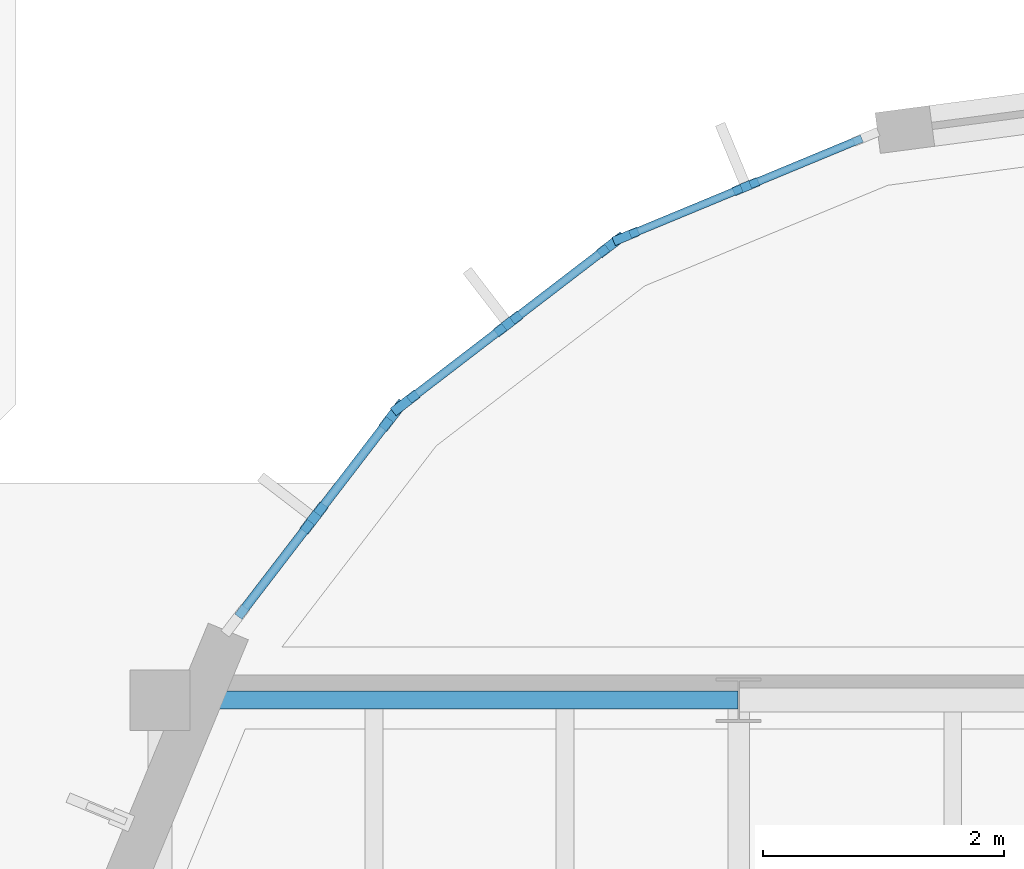
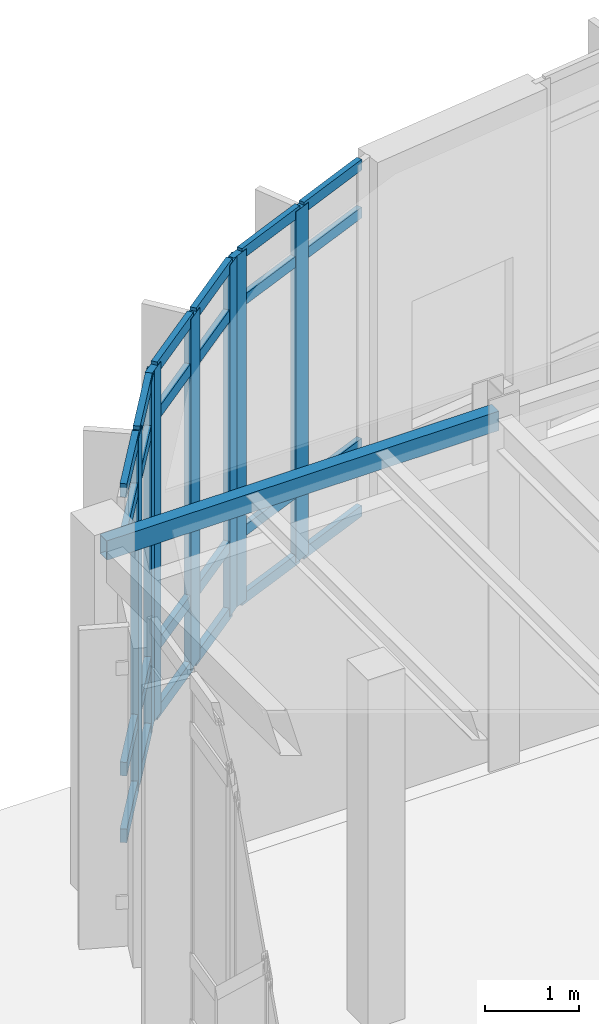
# One storey, part 54 of 120: 31 members, 1 beam, 3 elements without a shape of their own.
"""IFC4 building model written with IfcOpenShell, lengths in metres."""

from ifc_helpers import new_model, si_unit, direction, frame, origin, origin_2d, place, context, subcontext, project, spatial, rectangle, hollow_rectangle, extrude, material, material_profile, profile_set, type_object, element, aggregate, save


model = new_model("IFC4")

# Units and contexts
model_context = context("Model", 3, precision=1e-05, world=origin(), true_north=direction((0.0, 1.0)))
body_context = subcontext(model_context, "Body", "Model", "MODEL_VIEW")
ifc_project = project(units=[si_unit("LENGTHUNIT", "METRE"), si_unit("AREAUNIT", "SQUARE_METRE"), si_unit("VOLUMEUNIT", "CUBIC_METRE"), si_unit("PLANEANGLEUNIT", "RADIAN"), si_unit("MASSUNIT", "GRAM", prefix="KILO")], contexts=[model_context])

# Site, building, storey
site_placement = place(None, origin())
site = spatial("IfcSite", under=ifc_project, at=site_placement, CompositionType="ELEMENT")
building_placement = place(site_placement, origin())
building = spatial("IfcBuilding", under=site, at=building_placement, Name="Corveleigh Park Community Centre", CompositionType="ELEMENT")
storey_placement = place(building_placement, origin())
storey = spatial("IfcBuildingStorey", under=building, at=storey_placement, Name="L00", CompositionType="ELEMENT", Elevation=0.0)

# Curtain wall, members
ifc_material_1 = material(Name="Anodised aluminium 6063-T6", Category="aluminium")
curtain_wall_type = type_object("IfcCurtainWallType", Name="CW-SYS-V4-L00", PredefinedType="NOTDEFINED", material=ifc_material_1)
curtain_wall_1_placement = place(storey_placement, origin())
curtain_wall_1 = element("IfcCurtainWall", 1, at=curtain_wall_1_placement, inside=storey, type_object=curtain_wall_type, Name="V4 L00 Curtain Wall 142", PredefinedType="NOTDEFINED")
ifc_material_profile_1 = material_profile(ifc_material_1, rectangle(XDim=0.074951171875, YDim=0.219970703125, at=origin_2d()), Name="ALU-M75x220", Category="aluminium")
ifc_profile_set_1 = profile_set([ifc_material_profile_1], Name="Anodised aluminium 6063-T6")
member_type_1 = type_object("IfcMemberType", Name="CWM-75x220", PredefinedType="MULLION", material=ifc_profile_set_1)
member_1_placement = place(storey_placement, frame((133.66455078125, 108.04736328125, 0.0), z_axis=(0.0, 0.0, 1.0), x_axis=(-0.383024346152, 0.923738247695, 0.0)))
member_1 = element("IfcMember", 2, at=member_1_placement, type_object=member_type_1, Name="CW07 mullion 1", PredefinedType="MULLION", context=body_context, shape_type="SweptSolid", body=[
    extrude(rectangle(XDim=0.074951171875, YDim=0.219970703125, at=origin_2d()), origin(), (0.0, 0.0, 1.0), 4.537109375),
])
member_2_placement = place(storey_placement, frame((134.660888671875, 108.46044921875, 0.0), z_axis=(0.0, 0.0, 1.0), x_axis=(-0.383024346152, 0.923738247695, 0.0)))
member_2 = element("IfcMember", 3, at=member_2_placement, type_object=member_type_1, Name="CW07 mullion 2", PredefinedType="MULLION", context=body_context, shape_type="SweptSolid", body=[
    extrude(rectangle(XDim=0.074951171875, YDim=0.219970703125, at=origin_2d()), origin(), (0.0, 0.0, 1.0), 4.537109375),
])

curtain_wall_2_placement = place(storey_placement, origin())
curtain_wall_2 = element("IfcCurtainWall", 4, at=curtain_wall_2_placement, inside=storey, type_object=curtain_wall_type, Name="V4 L00 Curtain Wall 143", PredefinedType="NOTDEFINED")
ifc_material_profile_2 = material_profile(ifc_material_1, rectangle(XDim=0.080078125, YDim=0.25, at=origin_2d()), Name="ALU-M80x250", Category="aluminium")
ifc_profile_set_2 = profile_set([ifc_material_profile_2], Name="Anodised aluminium 6063-T6")
member_type_2 = type_object("IfcMemberType", Name="CWM-80x250", PredefinedType="MULLION", material=ifc_profile_set_2)
member_3_placement = place(storey_placement, frame((131.833740234375, 106.666259765625, 0.0), z_axis=(0.0, 0.0, 1.0), x_axis=(-0.608628822511, 0.79345507523, 0.0)))
member_3 = element("IfcMember", 5, at=member_3_placement, type_object=member_type_2, Name="CW07 mullion 1", PredefinedType="MULLION", context=body_context, shape_type="SweptSolid", body=[
    extrude(rectangle(XDim=0.080078125, YDim=0.25, at=origin_2d()), origin(), (0.0, 0.0, 1.0), 4.537109375),
])
member_4_placement = place(storey_placement, frame((132.6884765625, 107.322021484375, 0.0), z_axis=(0.0, 0.0, 1.0), x_axis=(-0.608628822511, 0.79345507523, 0.0)))
member_4 = element("IfcMember", 6, at=member_4_placement, type_object=member_type_2, Name="CW07 mullion 2", PredefinedType="MULLION", context=body_context, shape_type="SweptSolid", body=[
    extrude(rectangle(XDim=0.080078125, YDim=0.25, at=origin_2d()), origin(), (0.0, 0.0, 1.0), 4.537109375),
])
member_5_placement = place(storey_placement, frame((133.543212890625, 107.9775390625, 0.0), z_axis=(0.0, 0.0, 1.0), x_axis=(-0.608628822511, 0.79345507523, 0.0)))
member_5 = element("IfcMember", 7, at=member_5_placement, type_object=member_type_2, Name="CW07 mullion 3", PredefinedType="MULLION", context=body_context, shape_type="SweptSolid", body=[
    extrude(rectangle(XDim=0.080078125, YDim=0.25, at=origin_2d()), origin(), (0.0, 0.0, 1.0), 4.537109375),
])

curtain_wall_3_placement = place(storey_placement, origin())
curtain_wall_3 = element("IfcCurtainWall", 8, at=curtain_wall_3_placement, inside=storey, type_object=curtain_wall_type, Name="V4 L00 Curtain Wall 144", PredefinedType="NOTDEFINED")
ifc_material_profile_3 = material_profile(ifc_material_1, rectangle(XDim=0.0849609375, YDim=0.27490234375, at=origin_2d()), Name="ALU-M85x275", Category="aluminium")
ifc_profile_set_3 = profile_set([ifc_material_profile_3], Name="Anodised aluminium 6063-T6")
member_type_3 = type_object("IfcMemberType", Name="CWM-85x275", PredefinedType="MULLION", material=ifc_profile_set_3)
member_6_placement = place(storey_placement, frame((131.077880859375, 105.71142578125, 0.0), z_axis=(0.0, 0.0, 1.0), x_axis=(-0.79345507523, 0.608628822511, 0.0)))
member_6 = element("IfcMember", 9, at=member_6_placement, type_object=member_type_3, Name="CW07 mullion 2", PredefinedType="MULLION", context=body_context, shape_type="SweptSolid", body=[
    extrude(rectangle(XDim=0.0849609375, YDim=0.27490234375, at=origin_2d()), origin(), (0.0, 0.0, 1.0), 4.537109375),
])
member_7_placement = place(storey_placement, frame((131.732177734375, 106.564208984375, 0.0), z_axis=(0.0, 0.0, 1.0), x_axis=(-0.79345507523, 0.608628822511, 0.0)))
member_7 = element("IfcMember", 10, at=member_7_placement, type_object=member_type_3, Name="CW07 mullion 3", PredefinedType="MULLION", context=body_context, shape_type="SweptSolid", body=[
    extrude(rectangle(XDim=0.0849609375, YDim=0.27490234375, at=origin_2d()), origin(), (0.0, 0.0, 1.0), 4.537109375),
])

# Member
ifc_material_profile_4 = material_profile(ifc_material_1, rectangle(XDim=0.06494140625, YDim=0.139892578125, at=origin_2d()), Name="ALU-T65x140", Category="aluminium")
ifc_profile_set_4 = profile_set([ifc_material_profile_4], Name="Anodised aluminium 6063-T6")
member_type_4 = type_object("IfcMemberType", Name="CWT-65x140", PredefinedType="USERDEFINED", material=ifc_profile_set_4)
member_8_placement = place(storey_placement, frame((133.69921875, 108.061767578125, 0.032470703125), z_axis=(0.923809266998, 0.38285302429, 0.0), x_axis=(-0.38285302429, 0.923809266998, 0.0)))
member_8 = element("IfcMember", 11, at=member_8_placement, type_object=member_type_4, Name="CW07 transom 1.1", ObjectType="TRANSOM", PredefinedType="USERDEFINED", context=body_context, shape_type="SweptSolid", body=[
    extrude(rectangle(XDim=0.06494140625, YDim=0.139892578125, at=origin_2d()), origin(), (0.0, 0.0, 1.0), 1.003662109375),
])

member_9_placement = place(storey_placement, frame((133.69921875, 108.061767578125, 0.89990234375), z_axis=(0.923809266998, 0.38285302429, 0.0), x_axis=(-0.38285302429, 0.923809266998, 0.0)))
member_9 = element("IfcMember", 12, at=member_9_placement, type_object=member_type_4, Name="CW07 transom 1.2", ObjectType="TRANSOM", PredefinedType="USERDEFINED", context=body_context, shape_type="SweptSolid", body=[
    extrude(rectangle(XDim=0.06494140625, YDim=0.139892578125, at=origin_2d()), origin(), (0.0, 0.0, 1.0), 1.003662109375),
])

member_10_placement = place(storey_placement, frame((133.69921875, 108.061767578125, 3.886962890625), z_axis=(0.923809266998, 0.38285302429, 0.0), x_axis=(-0.38285302429, 0.923809266998, 0.0)))
member_10 = element("IfcMember", 13, at=member_10_placement, type_object=member_type_4, Name="CW07 transom 1.3", ObjectType="TRANSOM", PredefinedType="USERDEFINED", context=body_context, shape_type="SweptSolid", body=[
    extrude(rectangle(XDim=0.06494140625, YDim=0.139892578125, at=origin_2d()), origin(), (0.0, 0.0, 1.0), 1.003662109375),
])

member_11_placement = place(storey_placement, frame((133.69921875, 108.061767578125, 4.50439453125), z_axis=(0.923809266998, 0.38285302429, 0.0), x_axis=(-0.38285302429, 0.923809266998, 0.0)))
member_11 = element("IfcMember", 14, at=member_11_placement, type_object=member_type_4, Name="CW07 transom 1.4", ObjectType="TRANSOM", PredefinedType="USERDEFINED", context=body_context, shape_type="SweptSolid", body=[
    extrude(rectangle(XDim=0.06494140625, YDim=0.139892578125, at=origin_2d()), origin(), (0.0, 0.0, 1.0), 1.003662109375),
])

member_12_placement = place(storey_placement, frame((134.695556640625, 108.474853515625, 0.032470703125), z_axis=(0.923723223312, 0.383060578388, 0.0), x_axis=(-0.383060578388, 0.923723223312, 0.0)))
member_12 = element("IfcMember", 15, at=member_12_placement, type_object=member_type_4, Name="CW07 transom 2.1", ObjectType="TRANSOM", PredefinedType="USERDEFINED", context=body_context, shape_type="SweptSolid", body=[
    extrude(rectangle(XDim=0.06494140625, YDim=0.139892578125, at=origin_2d()), origin(), (0.0, 0.0, 1.0), 1.00390625),
])

member_13_placement = place(storey_placement, frame((134.695556640625, 108.474853515625, 0.89990234375), z_axis=(0.923723223312, 0.383060578388, 0.0), x_axis=(-0.383060578388, 0.923723223312, 0.0)))
member_13 = element("IfcMember", 16, at=member_13_placement, type_object=member_type_4, Name="CW07 transom 2.2", ObjectType="TRANSOM", PredefinedType="USERDEFINED", context=body_context, shape_type="SweptSolid", body=[
    extrude(rectangle(XDim=0.06494140625, YDim=0.139892578125, at=origin_2d()), origin(), (0.0, 0.0, 1.0), 1.00390625),
])

member_14_placement = place(storey_placement, frame((134.695556640625, 108.474853515625, 3.886962890625), z_axis=(0.923723223312, 0.383060578388, 0.0), x_axis=(-0.383060578388, 0.923723223312, 0.0)))
member_14 = element("IfcMember", 17, at=member_14_placement, type_object=member_type_4, Name="CW07 transom 2.3", ObjectType="TRANSOM", PredefinedType="USERDEFINED", context=body_context, shape_type="SweptSolid", body=[
    extrude(rectangle(XDim=0.06494140625, YDim=0.139892578125, at=origin_2d()), origin(), (0.0, 0.0, 1.0), 1.00390625),
])

member_15_placement = place(storey_placement, frame((134.695556640625, 108.474853515625, 4.50439453125), z_axis=(0.923723223312, 0.383060578388, 0.0), x_axis=(-0.383060578388, 0.923723223312, 0.0)))
member_15 = element("IfcMember", 18, at=member_15_placement, type_object=member_type_4, Name="CW07 transom 2.4", ObjectType="TRANSOM", PredefinedType="USERDEFINED", context=body_context, shape_type="SweptSolid", body=[
    extrude(rectangle(XDim=0.06494140625, YDim=0.139892578125, at=origin_2d()), origin(), (0.0, 0.0, 1.0), 1.00390625),
])

aggregate(curtain_wall_1, [member_1, member_2, member_8, member_9, member_10, member_11, member_12, member_13, member_14, member_15])

ifc_material_profile_5 = material_profile(ifc_material_1, rectangle(XDim=0.070068359375, YDim=0.155029296875, at=origin_2d()), Name="ALU-T70x155", Category="aluminium")
ifc_profile_set_5 = profile_set([ifc_material_profile_5], Name="Anodised aluminium 6063-T6")
member_type_5 = type_object("IfcMemberType", Name="CWT-70x155", PredefinedType="USERDEFINED", material=ifc_profile_set_5)
member_16_placement = place(storey_placement, frame((131.865478515625, 106.690673828125, 0.034912109375), z_axis=(0.79346054317, 0.608621694021, 0.0), x_axis=(-0.608621694021, 0.79346054317, 0.0)))
member_16 = element("IfcMember", 19, at=member_16_placement, type_object=member_type_5, Name="CW07 transom 1.1", ObjectType="TRANSOM", PredefinedType="USERDEFINED", context=body_context, shape_type="SweptSolid", body=[
    extrude(rectangle(XDim=0.070068359375, YDim=0.155029296875, at=origin_2d()), origin(), (0.0, 0.0, 1.0), 0.997314453125),
])

member_17_placement = place(storey_placement, frame((131.865478515625, 106.690673828125, 0.89990234375), z_axis=(0.79346054317, 0.608621694021, 0.0), x_axis=(-0.608621694021, 0.79346054317, 0.0)))
member_17 = element("IfcMember", 20, at=member_17_placement, type_object=member_type_5, Name="CW07 transom 1.2", ObjectType="TRANSOM", PredefinedType="USERDEFINED", context=body_context, shape_type="SweptSolid", body=[
    extrude(rectangle(XDim=0.070068359375, YDim=0.155029296875, at=origin_2d()), origin(), (0.0, 0.0, 1.0), 0.997314453125),
])

member_18_placement = place(storey_placement, frame((131.865478515625, 106.690673828125, 3.886962890625), z_axis=(0.79346054317, 0.608621694021, 0.0), x_axis=(-0.608621694021, 0.79346054317, 0.0)))
member_18 = element("IfcMember", 21, at=member_18_placement, type_object=member_type_5, Name="CW07 transom 1.3", ObjectType="TRANSOM", PredefinedType="USERDEFINED", context=body_context, shape_type="SweptSolid", body=[
    extrude(rectangle(XDim=0.070068359375, YDim=0.155029296875, at=origin_2d()), origin(), (0.0, 0.0, 1.0), 0.997314453125),
])

member_19_placement = place(storey_placement, frame((131.865478515625, 106.690673828125, 4.501953125), z_axis=(0.79346054317, 0.608621694021, 0.0), x_axis=(-0.608621694021, 0.79346054317, 0.0)))
member_19 = element("IfcMember", 22, at=member_19_placement, type_object=member_type_5, Name="CW07 transom 1.4", ObjectType="TRANSOM", PredefinedType="USERDEFINED", context=body_context, shape_type="SweptSolid", body=[
    extrude(rectangle(XDim=0.070068359375, YDim=0.155029296875, at=origin_2d()), origin(), (0.0, 0.0, 1.0), 0.997314453125),
])

member_20_placement = place(storey_placement, frame((132.72021484375, 107.346435546875, 0.034912109375), z_axis=(0.79346054317, 0.608621694021, 0.0), x_axis=(-0.608621694021, 0.79346054317, 0.0)))
member_20 = element("IfcMember", 23, at=member_20_placement, type_object=member_type_5, Name="CW07 transom 2.1", ObjectType="TRANSOM", PredefinedType="USERDEFINED", context=body_context, shape_type="SweptSolid", body=[
    extrude(rectangle(XDim=0.070068359375, YDim=0.155029296875, at=origin_2d()), origin(), (0.0, 0.0, 1.0), 0.997314453125),
])

member_21_placement = place(storey_placement, frame((132.72021484375, 107.346435546875, 0.89990234375), z_axis=(0.79346054317, 0.608621694021, 0.0), x_axis=(-0.608621694021, 0.79346054317, 0.0)))
member_21 = element("IfcMember", 24, at=member_21_placement, type_object=member_type_5, Name="CW07 transom 2.2", ObjectType="TRANSOM", PredefinedType="USERDEFINED", context=body_context, shape_type="SweptSolid", body=[
    extrude(rectangle(XDim=0.070068359375, YDim=0.155029296875, at=origin_2d()), origin(), (0.0, 0.0, 1.0), 0.997314453125),
])

member_22_placement = place(storey_placement, frame((132.72021484375, 107.346435546875, 3.886962890625), z_axis=(0.79346054317, 0.608621694021, 0.0), x_axis=(-0.608621694021, 0.79346054317, 0.0)))
member_22 = element("IfcMember", 25, at=member_22_placement, type_object=member_type_5, Name="CW07 transom 2.3", ObjectType="TRANSOM", PredefinedType="USERDEFINED", context=body_context, shape_type="SweptSolid", body=[
    extrude(rectangle(XDim=0.070068359375, YDim=0.155029296875, at=origin_2d()), origin(), (0.0, 0.0, 1.0), 0.997314453125),
])

member_23_placement = place(storey_placement, frame((132.72021484375, 107.346435546875, 4.501953125), z_axis=(0.79346054317, 0.608621694021, 0.0), x_axis=(-0.608621694021, 0.79346054317, 0.0)))
member_23 = element("IfcMember", 26, at=member_23_placement, type_object=member_type_5, Name="CW07 transom 2.4", ObjectType="TRANSOM", PredefinedType="USERDEFINED", context=body_context, shape_type="SweptSolid", body=[
    extrude(rectangle(XDim=0.070068359375, YDim=0.155029296875, at=origin_2d()), origin(), (0.0, 0.0, 1.0), 0.997314453125),
])

aggregate(curtain_wall_2, [member_3, member_4, member_5, member_16, member_17, member_18, member_19, member_20, member_21, member_22, member_23])

ifc_material_profile_6 = material_profile(ifc_material_1, rectangle(XDim=0.074951171875, YDim=0.175048828125, at=origin_2d()), Name="ALU-T75x175", Category="aluminium")
ifc_profile_set_6 = profile_set([ifc_material_profile_6], Name="Anodised aluminium 6063-T6")
member_type_6 = type_object("IfcMemberType", Name="CWT-75x175", PredefinedType="USERDEFINED", material=ifc_profile_set_6)
member_24_placement = place(storey_placement, frame((130.44970703125, 104.892333984375, 0.03759765625), z_axis=(0.608685219716, 0.793411811923, 0.0), x_axis=(-0.793411811923, 0.608685219716, 0.0)))
member_24 = element("IfcMember", 27, at=member_24_placement, type_object=member_type_6, Name="CW07 transom 1.1", ObjectType="TRANSOM", PredefinedType="USERDEFINED", context=body_context, shape_type="SweptSolid", body=[
    extrude(rectangle(XDim=0.074951171875, YDim=0.175048828125, at=origin_2d()), origin(), (0.0, 0.0, 1.0), 0.989990234375),
])

member_25_placement = place(storey_placement, frame((130.44970703125, 104.892333984375, 0.89990234375), z_axis=(0.608685219716, 0.793411811923, 0.0), x_axis=(-0.793411811923, 0.608685219716, 0.0)))
member_25 = element("IfcMember", 28, at=member_25_placement, type_object=member_type_6, Name="CW07 transom 1.2", ObjectType="TRANSOM", PredefinedType="USERDEFINED", context=body_context, shape_type="SweptSolid", body=[
    extrude(rectangle(XDim=0.074951171875, YDim=0.175048828125, at=origin_2d()), origin(), (0.0, 0.0, 1.0), 0.989990234375),
])

member_26_placement = place(storey_placement, frame((130.44970703125, 104.892333984375, 3.886962890625), z_axis=(0.608685219716, 0.793411811923, 0.0), x_axis=(-0.793411811923, 0.608685219716, 0.0)))
member_26 = element("IfcMember", 29, at=member_26_placement, type_object=member_type_6, Name="CW07 transom 1.3", ObjectType="TRANSOM", PredefinedType="USERDEFINED", context=body_context, shape_type="SweptSolid", body=[
    extrude(rectangle(XDim=0.074951171875, YDim=0.175048828125, at=origin_2d()), origin(), (0.0, 0.0, 1.0), 0.989990234375),
])

member_27_placement = place(storey_placement, frame((130.44970703125, 104.892333984375, 4.49951171875), z_axis=(0.608685219716, 0.793411811923, 0.0), x_axis=(-0.793411811923, 0.608685219716, 0.0)))
member_27 = element("IfcMember", 30, at=member_27_placement, type_object=member_type_6, Name="CW07 transom 1.4", ObjectType="TRANSOM", PredefinedType="USERDEFINED", context=body_context, shape_type="SweptSolid", body=[
    extrude(rectangle(XDim=0.074951171875, YDim=0.175048828125, at=origin_2d()), origin(), (0.0, 0.0, 1.0), 0.989990234375),
])

member_28_placement = place(storey_placement, frame((131.103759765625, 105.7451171875, 0.03759765625), z_axis=(0.608685219716, 0.793411811923, 0.0), x_axis=(-0.793411811923, 0.608685219716, 0.0)))
member_28 = element("IfcMember", 31, at=member_28_placement, type_object=member_type_6, Name="CW07 transom 2.1", ObjectType="TRANSOM", PredefinedType="USERDEFINED", context=body_context, shape_type="SweptSolid", body=[
    extrude(rectangle(XDim=0.074951171875, YDim=0.175048828125, at=origin_2d()), origin(), (0.0, 0.0, 1.0), 0.989990234375),
])

member_29_placement = place(storey_placement, frame((131.103759765625, 105.7451171875, 0.89990234375), z_axis=(0.608685219716, 0.793411811923, 0.0), x_axis=(-0.793411811923, 0.608685219716, 0.0)))
member_29 = element("IfcMember", 32, at=member_29_placement, type_object=member_type_6, Name="CW07 transom 2.2", ObjectType="TRANSOM", PredefinedType="USERDEFINED", context=body_context, shape_type="SweptSolid", body=[
    extrude(rectangle(XDim=0.074951171875, YDim=0.175048828125, at=origin_2d()), origin(), (0.0, 0.0, 1.0), 0.989990234375),
])

member_30_placement = place(storey_placement, frame((131.103759765625, 105.7451171875, 3.886962890625), z_axis=(0.608685219716, 0.793411811923, 0.0), x_axis=(-0.793411811923, 0.608685219716, 0.0)))
member_30 = element("IfcMember", 33, at=member_30_placement, type_object=member_type_6, Name="CW07 transom 2.3", ObjectType="TRANSOM", PredefinedType="USERDEFINED", context=body_context, shape_type="SweptSolid", body=[
    extrude(rectangle(XDim=0.074951171875, YDim=0.175048828125, at=origin_2d()), origin(), (0.0, 0.0, 1.0), 0.989990234375),
])

member_31_placement = place(storey_placement, frame((131.103759765625, 105.7451171875, 4.49951171875), z_axis=(0.608685219716, 0.793411811923, 0.0), x_axis=(-0.793411811923, 0.608685219716, 0.0)))
member_31 = element("IfcMember", 34, at=member_31_placement, type_object=member_type_6, Name="CW07 transom 2.4", ObjectType="TRANSOM", PredefinedType="USERDEFINED", context=body_context, shape_type="SweptSolid", body=[
    extrude(rectangle(XDim=0.074951171875, YDim=0.175048828125, at=origin_2d()), origin(), (0.0, 0.0, 1.0), 0.989990234375),
])

aggregate(curtain_wall_3, [member_6, member_7, member_24, member_25, member_26, member_27, member_28, member_29, member_30, member_31])

# Beam
ifc_material_2 = material(Name="Steel S355", Category="steel")
ifc_material_profile_7 = material_profile(ifc_material_2, hollow_rectangle(XDim=0.14990234375, YDim=0.25, WallThickness=0.010009765625, at=origin_2d()), Name="RHS 250x150x10.0", Category="steel")
ifc_profile_set_7 = profile_set([ifc_material_profile_7], Name="Steel S355")
beam_type = type_object("IfcBeamType", Name="SP-STL-RHS250x150", PredefinedType="SPANDREL", material=ifc_profile_set_7)
beam_placement = place(storey_placement, frame((129.804931640625, 104.199951171875, 4.412109375), z_axis=(1.0, 0.0, 0.0), x_axis=(0.0, 1.0, 0.0)))
element("IfcBeam", 35, at=beam_placement, inside=storey, type_object=beam_type, Name="V4 Girder X", PredefinedType="SPANDREL", context=body_context, shape_type="SweptSolid", body=[
    extrude(hollow_rectangle(XDim=0.14990234375, YDim=0.25, WallThickness=0.010009765625, at=origin_2d()), origin(), (0.0, 0.0, 1.0), 4.7900390625),
])

save(model, "model.ifc")
